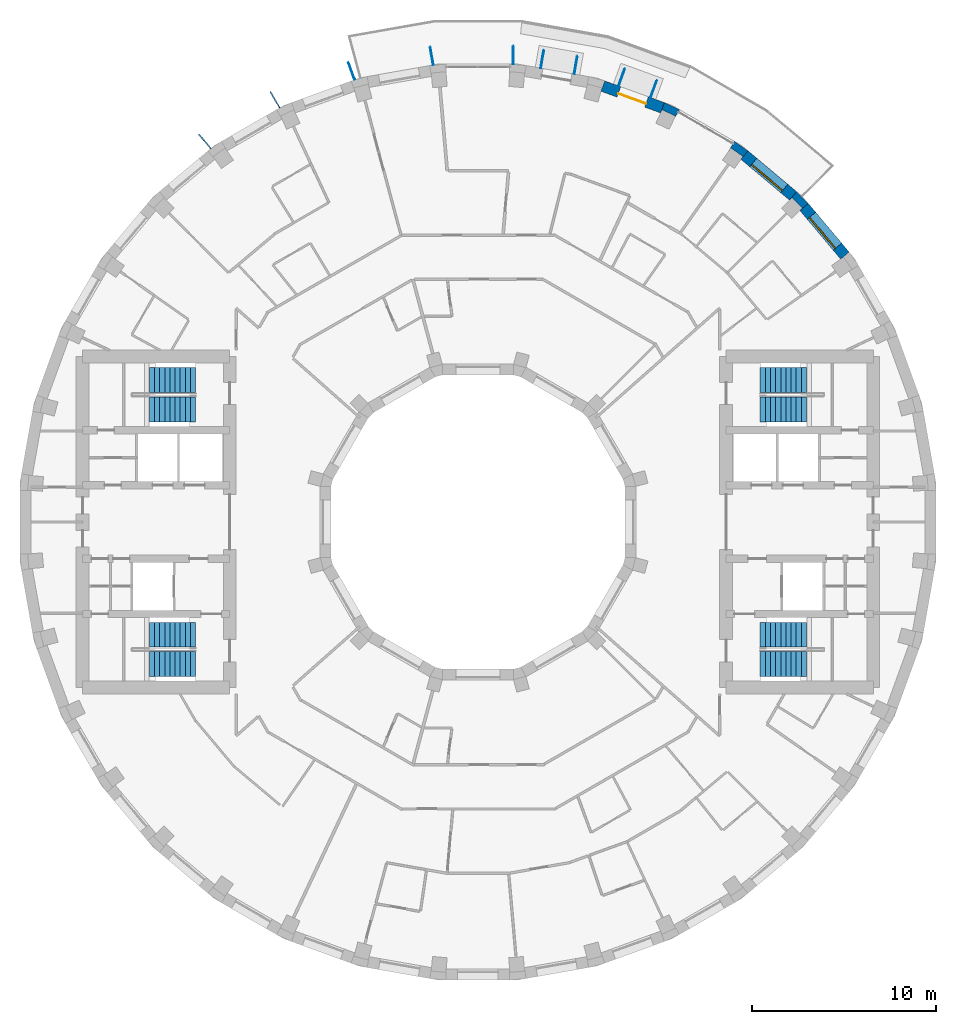
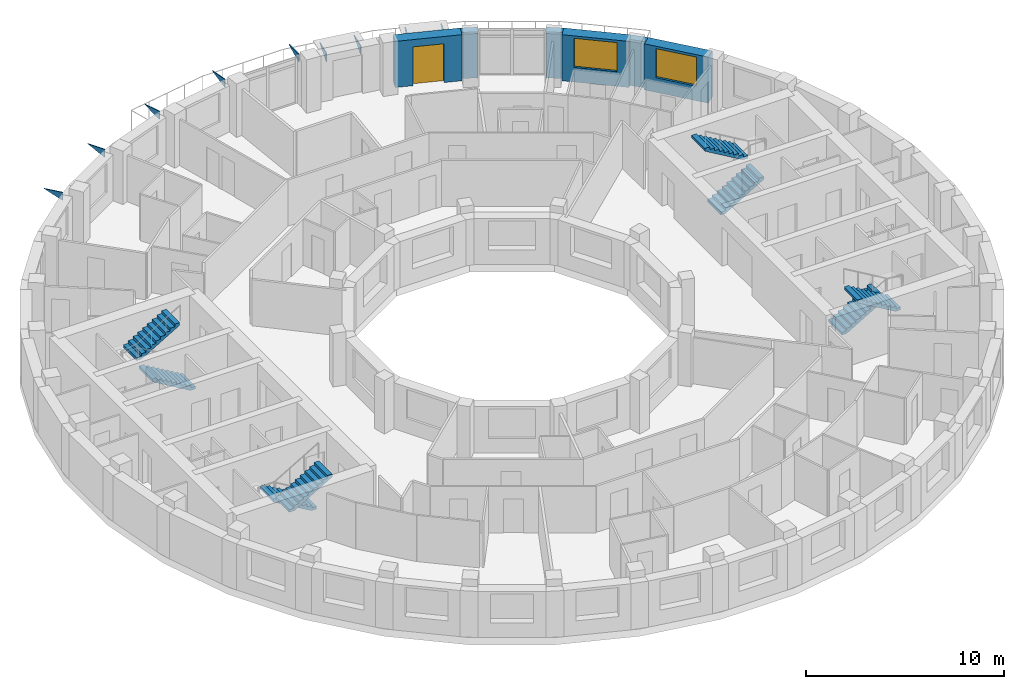
# One storey, part 12 of 13: 9 discrete accessories, 8 stair flights, 6 walls, 2 windows, 1 door, 3 openings, 4 elements without a shape of their own.
"""IFC4 building model written with IfcOpenShell, lengths in metres."""

from ifc_helpers import new_model, si_unit, direction, frame, frame_2d, origin, place, context, subcontext, project, spatial, polyline, rectangle, outline, extrude, material, layer, layer_set, type_object, element, fill, aggregate, save


model = new_model("IFC4")

# Units and contexts
model_context = context("Model", 3, precision=1e-05, world=origin(), true_north=direction((0.0, 1.0)))
body_context = subcontext(model_context, "Body", "Model", "MODEL_VIEW")
ifc_project = project(units=[si_unit("LENGTHUNIT", "METRE"), si_unit("AREAUNIT", "SQUARE_METRE"), si_unit("VOLUMEUNIT", "CUBIC_METRE"), si_unit("PLANEANGLEUNIT", "RADIAN"), si_unit("MASSUNIT", "GRAM", prefix="KILO")], contexts=[model_context])

# Site, building, storey
site_placement = place(None, origin())
site = spatial("IfcSite", under=ifc_project, at=site_placement, CompositionType="ELEMENT")
building_placement = place(site_placement, origin())
building = spatial("IfcBuilding", under=site, at=building_placement, Name="Saqina Gate Tower", CompositionType="ELEMENT")
storey_placement = place(building_placement, frame((0.0, 0.0, 207.0)))
storey = spatial("IfcBuildingStorey", under=building, at=storey_placement, Name="L59", CompositionType="ELEMENT", Elevation=207.0)

# Walls
ifc_material_1 = material(Name="Brick masonry (buff)", Category="masonry")
wall_type_1 = type_object("IfcWallType", Name="BRICK PIER COPING BUFF", PredefinedType="SOLIDWALL", material=ifc_material_1)
wall_1_placement = place(storey_placement, origin())
element("IfcWall", 1, at=wall_1_placement, inside=storey, type_object=wall_type_1, Name="Pier cap L59 column 5", PredefinedType="SOLIDWALL", context=body_context, shape_type="SweptSolid", body=[
    extrude(outline(polyline([(17.329833984375, 17.969482421875), (16.944091796875, 17.510009765625), (17.07666015625, 17.642333984375), (17.642333984375, 17.07666015625), (17.510009765625, 16.944091796875), (17.969482421875, 17.329833984375), (17.329833984375, 17.969482421875)])), origin(), (0.0, 0.0, 1.0), 2.85009765625),
])
wall_2_placement = place(storey_placement, origin())
element("IfcWall", 2, at=wall_2_placement, inside=storey, type_object=wall_type_1, Name="Pier cap L59 column 6", PredefinedType="SOLIDWALL", context=body_context, shape_type="SweptSolid", body=[
    extrude(outline(polyline([(14.687255859375, 20.18701171875), (13.9462890625, 20.705810546875), (13.646240234375, 20.186279296875), (13.753662109375, 20.339599609375), (14.408935546875, 19.880859375), (14.301513671875, 19.727294921875), (14.687255859375, 20.18701171875)])), origin(), (0.0, 0.0, 1.0), 2.85009765625),
])
wall_3_placement = place(storey_placement, origin())
element("IfcWall", 3, at=wall_3_placement, inside=storey, type_object=wall_type_1, Name="Pier cap L59 column 7", PredefinedType="SOLIDWALL", context=body_context, shape_type="SweptSolid", body=[
    extrude(outline(polyline([(10.138916015625, 22.81298828125), (9.93359375, 22.249267578125), (10.0126953125, 22.4189453125), (10.73779296875, 22.080810546875), (10.65869140625, 21.9111328125), (10.958740234375, 22.4306640625), (10.138916015625, 22.81298828125)])), origin(), (0.0, 0.0, 1.0), 2.85009765625),
])

# Wall, opening, window
ifc_material_2 = material(Name="Brick masonry (buff)", Category="masonry")
ifc_layer_1 = layer(ifc_material_2, 0.60009765625)
ifc_layer_set_1 = layer_set([ifc_layer_1], Name="FW-BRICK-BUFF")
wall_type_2 = type_object("IfcWallType", Name="FW-BRICK-BUFF", PredefinedType="SOLIDWALL", material=ifc_layer_set_1)
wall_4_placement = place(storey_placement, frame((19.95703125, 14.494384765625, 0.0), z_axis=(0.0, 0.0, 1.0), x_axis=(-0.642770398358, 0.766058884809, 0.0)))
wall_4 = element("IfcWall", 4, at=wall_4_placement, inside=storey, type_object=wall_type_2, Name="Facade wall L59 facet 4", PredefinedType="SOLIDWALL", context=body_context, shape_type="SweptSolid", body=[
    extrude(rectangle(XDim=3.449462890625, YDim=0.60009765625, at=frame_2d((1.724609375, 0.0))), origin(), (0.0, 0.0, 1.0), 2.85009765625),
])
opening_1_placement = place(wall_4_placement, frame((0.625, 0.0, 0.89990234375)))
opening_1 = element("IfcOpeningElement", 5, at=opening_1_placement, cuts=wall_4, Name="Opening G17-W02", PredefinedType="OPENING", context=body_context, shape_type="SweptSolid", body=[
    extrude(rectangle(XDim=2.199951171875, YDim=1.800048828125, at=frame_2d((1.10009765625, 0.89990234375))), frame((0.0, 0.31201171875, 0.0), z_axis=(0.0, -1.0, 0.0), x_axis=(1.0, 0.0, 0.0)), (0.0, 0.0, 1.0), 0.6240234375),
])
ifc_material_3 = material(Name="Aluminium glazing", Category="aluminium")
window_type = type_object("IfcWindowType", Name="WN-C", PartitioningType="SINGLE_PANEL", PredefinedType="WINDOW", material=ifc_material_3)
window_1_placement = place(opening_1_placement, origin())
window_1 = element("IfcWindow", 6, at=window_1_placement, inside=storey, type_object=window_type, Name="Window L59 facet 4", OverallHeight=1.800048828125, OverallWidth=2.199951171875, PartitioningType="SINGLE_PANEL", PredefinedType="WINDOW", context=body_context, shape_type="SweptSolid", body=[
    extrude(rectangle(XDim=2.199951171875, YDim=1.800048828125, at=frame_2d((1.10009765625, 0.89990234375))), frame((0.0, 0.179931640625, 0.0), z_axis=(0.0, -1.0, 0.0), x_axis=(1.0, 0.0, 0.0)), (0.0, 0.0, 1.0), 0.06005859375),
])
fill(opening_1, window_1)

wall_5_placement = place(storey_placement, frame((17.136962890625, 17.73974609375, 0.0), z_axis=(0.0, 0.0, 1.0), x_axis=(-0.766058884809, 0.642770398358, 0.0)))
wall_5 = element("IfcWall", 7, at=wall_5_placement, inside=storey, type_object=wall_type_2, Name="Facade wall L59 facet 5", PredefinedType="SOLIDWALL", context=body_context, shape_type="SweptSolid", body=[
    extrude(rectangle(XDim=3.449462890625, YDim=0.60009765625, at=frame_2d((1.724609375, 0.0))), origin(), (0.0, 0.0, 1.0), 2.85009765625),
])
opening_2_placement = place(wall_5_placement, frame((0.625, 0.0, 0.89990234375)))
opening_2 = element("IfcOpeningElement", 8, at=opening_2_placement, cuts=wall_5, Name="Opening G17-W03", PredefinedType="OPENING", context=body_context, shape_type="SweptSolid", body=[
    extrude(rectangle(XDim=2.199951171875, YDim=1.800048828125, at=frame_2d((1.10009765625, 0.89990234375))), frame((0.0, 0.31201171875, 0.0), z_axis=(0.0, -1.0, 0.0), x_axis=(1.0, 0.0, 0.0)), (0.0, 0.0, 1.0), 0.6240234375),
])
window_2_placement = place(opening_2_placement, origin())
window_2 = element("IfcWindow", 9, at=window_2_placement, inside=storey, type_object=window_type, Name="Window L59 facet 5", OverallHeight=1.800048828125, OverallWidth=2.199951171875, PartitioningType="SINGLE_PANEL", PredefinedType="WINDOW", context=body_context, shape_type="SweptSolid", body=[
    extrude(rectangle(XDim=2.199951171875, YDim=1.800048828125, at=frame_2d((1.10009765625, 0.89990234375))), frame((0.0, 0.179931640625, 0.0), z_axis=(0.0, -1.0, 0.0), x_axis=(1.0, 0.0, 0.0)), (0.0, 0.0, 1.0), 0.06005859375),
])
fill(opening_2, window_2)

# Wall, opening, door
wall_6_placement = place(storey_placement, frame((10.0361328125, 22.531005859375, 0.0), z_axis=(0.0, 0.0, 1.0), x_axis=(-0.93968799822, 0.342032843455, 0.0)))
wall_6 = element("IfcWall", 10, at=wall_6_placement, inside=storey, type_object=wall_type_2, Name="Facade wall L59 facet 7", PredefinedType="SOLIDWALL", context=body_context, shape_type="SweptSolid", body=[
    extrude(rectangle(XDim=3.44970703125, YDim=0.60009765625, at=frame_2d((1.724853515625, 0.0))), origin(), (0.0, 0.0, 1.0), 2.85009765625),
])
opening_3_placement = place(wall_6_placement, frame((0.9248046875, 0.0, 0.0)))
opening_3 = element("IfcOpeningElement", 11, at=opening_3_placement, cuts=wall_6, Name="Opening G17-D80", PredefinedType="OPENING", context=body_context, shape_type="SweptSolid", body=[
    extrude(rectangle(XDim=1.60009765625, YDim=2.39990234375, at=frame_2d((0.800048828125, 1.199951171875))), frame((0.0, 0.31201171875, 0.0), z_axis=(0.0, -1.0, 0.0), x_axis=(1.0, 0.0, 0.0)), (0.0, 0.0, 1.0), 0.6240234375),
])
ifc_material_4 = material(Name="Aluminium glazing", Category="aluminium")
door_type = type_object("IfcDoorType", Name="GD-C", OperationType="DOUBLE_DOOR_SINGLE_SWING", PredefinedType="DOOR", material=ifc_material_4)
door_placement = place(opening_3_placement, origin())
door = element("IfcDoor", 12, at=door_placement, inside=storey, type_object=door_type, Name="Terrace door L59 facet 7", OperationType="DOUBLE_DOOR_SINGLE_SWING", OverallHeight=2.39990234375, OverallWidth=1.60009765625, PredefinedType="DOOR", context=body_context, shape_type="SweptSolid", body=[
    extrude(rectangle(XDim=1.60009765625, YDim=2.39990234375, at=frame_2d((0.800048828125, 1.199951171875))), frame((0.0, 0.125, 0.0), z_axis=(0.0, -1.0, 0.0), x_axis=(1.0, 0.0, 0.0)), (0.0, 0.0, 1.0), 0.050048828125),
])
fill(opening_3, door)

# Stair, stair flights
ifc_material_5 = material(Name="Concrete C40/50", Category="concrete")
stair_type = type_object("IfcStairType", Name="EXIT STAIR", PredefinedType="HALF_TURN_STAIR", material=ifc_material_5)
stair_1_placement = place(storey_placement, origin())
stair_1 = element("IfcStair", 13, at=stair_1_placement, inside=storey, type_object=stair_type, Name="EXIT STAIR 1", PredefinedType="HALF_TURN_STAIR")
ifc_material_6 = material(Name="Concrete C40/50", Category="concrete")
stair_flight_type = type_object("IfcStairFlightType", Name="EXIT STAIR FLIGHT", PredefinedType="STRAIGHT", material=ifc_material_6)
stair_flight_1_placement = place(storey_placement, frame((15.35009765625, 6.125, 0.0), z_axis=(0.0, 0.0, 1.0), x_axis=(1.0, 0.0, 0.0)))
stair_flight_1 = element("IfcStairFlight", 14, at=stair_flight_1_placement, type_object=stair_flight_type, Name="EXIT STAIR 1 FLIGHT 1", NumberOfRisers=10, NumberOfTreads=9, PredefinedType="STRAIGHT", RiserHeight=0.165, TreadLength=0.28, context=body_context, shape_type="SweptSolid", body=[
    extrude(outline(polyline([(0.0, 0.0), (0.0, 0.1650390625), (0.280029296875, 0.1650390625), (0.280029296875, 0.330078125), (0.56005859375, 0.330078125), (0.56005859375, 0.4951171875), (0.840087890625, 0.4951171875), (0.840087890625, 0.659912109375), (1.1201171875, 0.659912109375), (1.1201171875, 0.824951171875), (1.39990234375, 0.824951171875), (1.39990234375, 0.989990234375), (1.679931640625, 0.989990234375), (1.679931640625, 1.155029296875), (1.9599609375, 1.155029296875), (1.9599609375, 1.320068359375), (2.239990234375, 1.320068359375), (2.239990234375, 1.485107421875), (2.52001953125, 1.485107421875), (2.52001953125, 1.64990234375), (2.52001953125, 1.31103515625), (0.295166015625, 0.0), (0.0, 0.0)])), frame((0.0, 0.675048828125, 0.0), z_axis=(0.0, -1.0, 0.0), x_axis=(1.0, 0.0, 0.0)), (0.0, 0.0, 1.0), 1.35009765625),
])
stair_flight_2_placement = place(storey_placement, frame((17.8701171875, 7.72509765625, 1.64990234375), z_axis=(0.0, 0.0, 1.0), x_axis=(-1.0, 0.0, 0.0)))
stair_flight_2 = element("IfcStairFlight", 15, at=stair_flight_2_placement, type_object=stair_flight_type, Name="EXIT STAIR 1 FLIGHT 2", NumberOfRisers=10, NumberOfTreads=9, PredefinedType="STRAIGHT", RiserHeight=0.165, TreadLength=0.28, context=body_context, shape_type="SweptSolid", body=[
    extrude(outline(polyline([(0.0, 0.0), (0.0, 0.1650390625), (0.280029296875, 0.1650390625), (0.280029296875, 0.330078125), (0.56005859375, 0.330078125), (0.56005859375, 0.4951171875), (0.840087890625, 0.4951171875), (0.840087890625, 0.659912109375), (1.1201171875, 0.659912109375), (1.1201171875, 0.824951171875), (1.39990234375, 0.824951171875), (1.39990234375, 0.989990234375), (1.679931640625, 0.989990234375), (1.679931640625, 1.155029296875), (1.9599609375, 1.155029296875), (1.9599609375, 1.320068359375), (2.239990234375, 1.320068359375), (2.239990234375, 1.485107421875), (2.52001953125, 1.485107421875), (2.52001953125, 1.64990234375), (2.52001953125, 1.31103515625), (0.295166015625, 0.0), (0.0, 0.0)])), frame((0.0, 0.675048828125, 0.0), z_axis=(0.0, -1.0, 0.0), x_axis=(1.0, 0.0, 0.0)), (0.0, 0.0, 1.0), 1.35009765625),
])
aggregate(stair_1, [stair_flight_1, stair_flight_2])

stair_2_placement = place(storey_placement, origin())
stair_2 = element("IfcStair", 16, at=stair_2_placement, inside=storey, type_object=stair_type, Name="EXIT STAIR 2", PredefinedType="HALF_TURN_STAIR")
stair_flight_3_placement = place(storey_placement, frame((15.35009765625, -6.125, 0.0), z_axis=(0.0, 0.0, 1.0), x_axis=(1.0, 0.0, 0.0)))
stair_flight_3 = element("IfcStairFlight", 17, at=stair_flight_3_placement, type_object=stair_flight_type, Name="EXIT STAIR 2 FLIGHT 1", NumberOfRisers=10, NumberOfTreads=9, PredefinedType="STRAIGHT", RiserHeight=0.165, TreadLength=0.28, context=body_context, shape_type="SweptSolid", body=[
    extrude(outline(polyline([(0.0, 0.0), (0.0, 0.1650390625), (0.280029296875, 0.1650390625), (0.280029296875, 0.330078125), (0.56005859375, 0.330078125), (0.56005859375, 0.4951171875), (0.840087890625, 0.4951171875), (0.840087890625, 0.659912109375), (1.1201171875, 0.659912109375), (1.1201171875, 0.824951171875), (1.39990234375, 0.824951171875), (1.39990234375, 0.989990234375), (1.679931640625, 0.989990234375), (1.679931640625, 1.155029296875), (1.9599609375, 1.155029296875), (1.9599609375, 1.320068359375), (2.239990234375, 1.320068359375), (2.239990234375, 1.485107421875), (2.52001953125, 1.485107421875), (2.52001953125, 1.64990234375), (2.52001953125, 1.31103515625), (0.295166015625, 0.0), (0.0, 0.0)])), frame((0.0, 0.675048828125, 0.0), z_axis=(0.0, -1.0, 0.0), x_axis=(1.0, 0.0, 0.0)), (0.0, 0.0, 1.0), 1.35009765625),
])
stair_flight_4_placement = place(storey_placement, frame((17.8701171875, -7.72509765625, 1.64990234375), z_axis=(0.0, 0.0, 1.0), x_axis=(-1.0, 0.0, 0.0)))
stair_flight_4 = element("IfcStairFlight", 18, at=stair_flight_4_placement, type_object=stair_flight_type, Name="EXIT STAIR 2 FLIGHT 2", NumberOfRisers=10, NumberOfTreads=9, PredefinedType="STRAIGHT", RiserHeight=0.165, TreadLength=0.28, context=body_context, shape_type="SweptSolid", body=[
    extrude(outline(polyline([(0.0, 0.0), (0.0, 0.1650390625), (0.280029296875, 0.1650390625), (0.280029296875, 0.330078125), (0.56005859375, 0.330078125), (0.56005859375, 0.4951171875), (0.840087890625, 0.4951171875), (0.840087890625, 0.659912109375), (1.1201171875, 0.659912109375), (1.1201171875, 0.824951171875), (1.39990234375, 0.824951171875), (1.39990234375, 0.989990234375), (1.679931640625, 0.989990234375), (1.679931640625, 1.155029296875), (1.9599609375, 1.155029296875), (1.9599609375, 1.320068359375), (2.239990234375, 1.320068359375), (2.239990234375, 1.485107421875), (2.52001953125, 1.485107421875), (2.52001953125, 1.64990234375), (2.52001953125, 1.31103515625), (0.295166015625, 0.0), (0.0, 0.0)])), frame((0.0, 0.675048828125, 0.0), z_axis=(0.0, -1.0, 0.0), x_axis=(1.0, 0.0, 0.0)), (0.0, 0.0, 1.0), 1.35009765625),
])
aggregate(stair_2, [stair_flight_3, stair_flight_4])

stair_3_placement = place(storey_placement, origin())
stair_3 = element("IfcStair", 19, at=stair_3_placement, inside=storey, type_object=stair_type, Name="EXIT STAIR 3", PredefinedType="HALF_TURN_STAIR")
stair_flight_5_placement = place(storey_placement, frame((-15.35009765625, 6.125, 0.0), z_axis=(0.0, 0.0, 1.0), x_axis=(-1.0, 0.0, 0.0)))
stair_flight_5 = element("IfcStairFlight", 20, at=stair_flight_5_placement, type_object=stair_flight_type, Name="EXIT STAIR 3 FLIGHT 1", NumberOfRisers=10, NumberOfTreads=9, PredefinedType="STRAIGHT", RiserHeight=0.165, TreadLength=0.28, context=body_context, shape_type="SweptSolid", body=[
    extrude(outline(polyline([(0.0, 0.0), (0.0, 0.1650390625), (0.280029296875, 0.1650390625), (0.280029296875, 0.330078125), (0.56005859375, 0.330078125), (0.56005859375, 0.4951171875), (0.840087890625, 0.4951171875), (0.840087890625, 0.659912109375), (1.1201171875, 0.659912109375), (1.1201171875, 0.824951171875), (1.39990234375, 0.824951171875), (1.39990234375, 0.989990234375), (1.679931640625, 0.989990234375), (1.679931640625, 1.155029296875), (1.9599609375, 1.155029296875), (1.9599609375, 1.320068359375), (2.239990234375, 1.320068359375), (2.239990234375, 1.485107421875), (2.52001953125, 1.485107421875), (2.52001953125, 1.64990234375), (2.52001953125, 1.31103515625), (0.295166015625, 0.0), (0.0, 0.0)])), frame((0.0, 0.675048828125, 0.0), z_axis=(0.0, -1.0, 0.0), x_axis=(1.0, 0.0, 0.0)), (0.0, 0.0, 1.0), 1.35009765625),
])
stair_flight_6_placement = place(storey_placement, frame((-17.8701171875, 7.72509765625, 1.64990234375), z_axis=(0.0, 0.0, 1.0), x_axis=(1.0, 0.0, 0.0)))
stair_flight_6 = element("IfcStairFlight", 21, at=stair_flight_6_placement, type_object=stair_flight_type, Name="EXIT STAIR 3 FLIGHT 2", NumberOfRisers=10, NumberOfTreads=9, PredefinedType="STRAIGHT", RiserHeight=0.165, TreadLength=0.28, context=body_context, shape_type="SweptSolid", body=[
    extrude(outline(polyline([(0.0, 0.0), (0.0, 0.1650390625), (0.280029296875, 0.1650390625), (0.280029296875, 0.330078125), (0.56005859375, 0.330078125), (0.56005859375, 0.4951171875), (0.840087890625, 0.4951171875), (0.840087890625, 0.659912109375), (1.1201171875, 0.659912109375), (1.1201171875, 0.824951171875), (1.39990234375, 0.824951171875), (1.39990234375, 0.989990234375), (1.679931640625, 0.989990234375), (1.679931640625, 1.155029296875), (1.9599609375, 1.155029296875), (1.9599609375, 1.320068359375), (2.239990234375, 1.320068359375), (2.239990234375, 1.485107421875), (2.52001953125, 1.485107421875), (2.52001953125, 1.64990234375), (2.52001953125, 1.31103515625), (0.295166015625, 0.0), (0.0, 0.0)])), frame((0.0, 0.675048828125, 0.0), z_axis=(0.0, -1.0, 0.0), x_axis=(1.0, 0.0, 0.0)), (0.0, 0.0, 1.0), 1.35009765625),
])
aggregate(stair_3, [stair_flight_5, stair_flight_6])

stair_4_placement = place(storey_placement, origin())
stair_4 = element("IfcStair", 22, at=stair_4_placement, inside=storey, type_object=stair_type, Name="EXIT STAIR 4", PredefinedType="HALF_TURN_STAIR")
stair_flight_7_placement = place(storey_placement, frame((-15.35009765625, -6.125, 0.0), z_axis=(0.0, 0.0, 1.0), x_axis=(-1.0, 0.0, 0.0)))
stair_flight_7 = element("IfcStairFlight", 23, at=stair_flight_7_placement, type_object=stair_flight_type, Name="EXIT STAIR 4 FLIGHT 1", NumberOfRisers=10, NumberOfTreads=9, PredefinedType="STRAIGHT", RiserHeight=0.165, TreadLength=0.28, context=body_context, shape_type="SweptSolid", body=[
    extrude(outline(polyline([(0.0, 0.0), (0.0, 0.1650390625), (0.280029296875, 0.1650390625), (0.280029296875, 0.330078125), (0.56005859375, 0.330078125), (0.56005859375, 0.4951171875), (0.840087890625, 0.4951171875), (0.840087890625, 0.659912109375), (1.1201171875, 0.659912109375), (1.1201171875, 0.824951171875), (1.39990234375, 0.824951171875), (1.39990234375, 0.989990234375), (1.679931640625, 0.989990234375), (1.679931640625, 1.155029296875), (1.9599609375, 1.155029296875), (1.9599609375, 1.320068359375), (2.239990234375, 1.320068359375), (2.239990234375, 1.485107421875), (2.52001953125, 1.485107421875), (2.52001953125, 1.64990234375), (2.52001953125, 1.31103515625), (0.295166015625, 0.0), (0.0, 0.0)])), frame((0.0, 0.675048828125, 0.0), z_axis=(0.0, -1.0, 0.0), x_axis=(1.0, 0.0, 0.0)), (0.0, 0.0, 1.0), 1.35009765625),
])
stair_flight_8_placement = place(storey_placement, frame((-17.8701171875, -7.72509765625, 1.64990234375), z_axis=(0.0, 0.0, 1.0), x_axis=(1.0, 0.0, 0.0)))
stair_flight_8 = element("IfcStairFlight", 24, at=stair_flight_8_placement, type_object=stair_flight_type, Name="EXIT STAIR 4 FLIGHT 2", NumberOfRisers=10, NumberOfTreads=9, PredefinedType="STRAIGHT", RiserHeight=0.165, TreadLength=0.28, context=body_context, shape_type="SweptSolid", body=[
    extrude(outline(polyline([(0.0, 0.0), (0.0, 0.1650390625), (0.280029296875, 0.1650390625), (0.280029296875, 0.330078125), (0.56005859375, 0.330078125), (0.56005859375, 0.4951171875), (0.840087890625, 0.4951171875), (0.840087890625, 0.659912109375), (1.1201171875, 0.659912109375), (1.1201171875, 0.824951171875), (1.39990234375, 0.824951171875), (1.39990234375, 0.989990234375), (1.679931640625, 0.989990234375), (1.679931640625, 1.155029296875), (1.9599609375, 1.155029296875), (1.9599609375, 1.320068359375), (2.239990234375, 1.320068359375), (2.239990234375, 1.485107421875), (2.52001953125, 1.485107421875), (2.52001953125, 1.64990234375), (2.52001953125, 1.31103515625), (0.295166015625, 0.0), (0.0, 0.0)])), frame((0.0, 0.675048828125, 0.0), z_axis=(0.0, -1.0, 0.0), x_axis=(1.0, 0.0, 0.0)), (0.0, 0.0, 1.0), 1.35009765625),
])
aggregate(stair_4, [stair_flight_7, stair_flight_8])

# Discrete accessories
ifc_material_7 = material(Name="Galvanised steel", Category="steel")
ifc_layer_2 = layer(ifc_material_7, 0.050048828125)
ifc_layer_set_2 = layer_set([ifc_layer_2], Name="BR-AWNING")
discrete_accessory_type_1 = type_object("IfcDiscreteAccessoryType", Name="BR-AWNING", PredefinedType="BRACKET", material=ifc_layer_set_2)
discrete_accessory_1_placement = place(storey_placement, frame((9.363525390625, 23.09521484375, 1.97509765625), z_axis=(-0.939686455819, 0.342037080957, 0.0), x_axis=(0.0, 0.0, 1.0)))
element("IfcDiscreteAccessory", 25, at=discrete_accessory_1_placement, inside=storey, type_object=discrete_accessory_type_1, Name="Awning bracket L59 facet 7", PredefinedType="BRACKET", context=body_context, shape_type="SweptSolid", body=[
    extrude(outline(polyline([(0.0, 0.0), (0.5498046875, 0.0), (0.5498046875, 1.0000115036302748), (0.0, 0.0)])), origin(), (0.0, 0.0, -1.0), 0.050048828125),
])
discrete_accessory_2_placement = place(storey_placement, frame((7.62548828125, 23.727783203125, 1.97509765625), z_axis=(-0.939764905391, 0.341821477669, 0.0), x_axis=(0.0, 0.0, 1.0)))
element("IfcDiscreteAccessory", 26, at=discrete_accessory_2_placement, inside=storey, type_object=discrete_accessory_type_1, Name="Awning bracket L59 facet 7", PredefinedType="BRACKET", context=body_context, shape_type="SweptSolid", body=[
    extrude(outline(polyline([(0.0, 0.0), (0.5498046875, 0.0), (0.5498046875, 0.9999280248012192), (0.0, 0.0)])), origin(), (0.0, 0.0, -1.0), 0.050048828125),
])
discrete_accessory_3_placement = place(storey_placement, frame((5.2109375, 24.3701171875, 1.97509765625), z_axis=(-0.984820401928, 0.173576426815, 0.0), x_axis=(0.0, 0.0, 1.0)))
element("IfcDiscreteAccessory", 27, at=discrete_accessory_3_placement, inside=storey, type_object=discrete_accessory_type_1, Name="Awning bracket L59 facet 8", PredefinedType="BRACKET", context=body_context, shape_type="SweptSolid", body=[
    extrude(outline(polyline([(0.0, 0.0), (0.5498046875, 0.0), (0.5498046875, 1.000043540245132), (0.0, 0.0)])), origin(), (0.0, 0.0, -1.0), 0.050048828125),
])
discrete_accessory_4_placement = place(storey_placement, frame((3.38916015625, 24.69140625, 1.97509765625), z_axis=(-0.984778643263, 0.173813186416, 0.0), x_axis=(0.0, 0.0, 1.0)))
element("IfcDiscreteAccessory", 28, at=discrete_accessory_4_placement, inside=storey, type_object=discrete_accessory_type_1, Name="Awning bracket L59 facet 8", PredefinedType="BRACKET", context=body_context, shape_type="SweptSolid", body=[
    extrude(outline(polyline([(0.0, 0.0), (0.5498046875, 0.0), (0.5498046875, 1.0000859462043912), (0.0, 0.0)])), origin(), (0.0, 0.0, -1.0), 0.050048828125),
])
ifc_material_8 = material(Name="Galvanised steel", Category="steel")
ifc_layer_3 = layer(ifc_material_8, 0.050048828125)
ifc_layer_set_3 = layer_set([ifc_layer_3], Name="BR-GUSSET")
discrete_accessory_type_2 = type_object("IfcDiscreteAccessoryType", Name="BR-GUSSET", PredefinedType="BRACKET", material=ifc_layer_set_3)
discrete_accessory_5_placement = place(storey_placement, frame((1.90380859375, 24.90478515625, 2.35009765625), z_axis=(-1.0, 0.0, 0.0), x_axis=(0.0, 0.0, 1.0)))
element("IfcDiscreteAccessory", 29, at=discrete_accessory_5_placement, inside=storey, type_object=discrete_accessory_type_2, Name="Terrace slab bracket L60 1", PredefinedType="BRACKET", context=body_context, shape_type="SweptSolid", body=[
    extrude(outline(polyline([(0.0, 0.0), (0.5, 0.0), (0.5, 1.0), (0.0, 0.0)])), origin(), (0.0, 0.0, -1.0), 0.050048828125),
])
discrete_accessory_6_placement = place(storey_placement, frame((-2.44970703125, 24.857177734375, 2.35009765625), z_axis=(-0.984813043937, -0.173618168668, 0.0), x_axis=(0.0, 0.0, 1.0)))
element("IfcDiscreteAccessory", 30, at=discrete_accessory_6_placement, inside=storey, type_object=discrete_accessory_type_2, Name="Terrace slab bracket L60 2", PredefinedType="BRACKET", context=body_context, shape_type="SweptSolid", body=[
    extrude(outline(polyline([(0.0, 0.0), (0.5, 0.0), (0.5, 0.9998031064747768), (0.0, 0.0)])), origin(), (0.0, 0.0, -1.0), 0.050048828125),
])
discrete_accessory_7_placement = place(storey_placement, frame((-6.72900390625, 24.05419921875, 2.35009765625), z_axis=(-0.939764905391, -0.341821477669, 0.0), x_axis=(0.0, 0.0, 1.0)))
element("IfcDiscreteAccessory", 31, at=discrete_accessory_7_placement, inside=storey, type_object=discrete_accessory_type_2, Name="Terrace slab bracket L60 3", PredefinedType="BRACKET", context=body_context, shape_type="SweptSolid", body=[
    extrude(outline(polyline([(0.0, 0.0), (0.5, 0.0), (0.5, 0.999928024801219), (0.0, 0.0)])), origin(), (0.0, 0.0, -1.0), 0.050048828125),
])
discrete_accessory_8_placement = place(storey_placement, frame((-10.8037109375, 22.520263671875, 2.35009765625), z_axis=(-0.866010750942, -0.50002537861, 0.0), x_axis=(0.0, 0.0, 1.0)))
element("IfcDiscreteAccessory", 32, at=discrete_accessory_8_placement, inside=storey, type_object=discrete_accessory_type_2, Name="Terrace slab bracket L60 4", PredefinedType="BRACKET", context=body_context, shape_type="SweptSolid", body=[
    extrude(outline(polyline([(0.0, 0.0), (0.5, 0.0), (0.5, 0.9999492453569568), (0.0, 0.0)])), origin(), (0.0, 0.0, -1.0), 0.050048828125),
])
discrete_accessory_9_placement = place(storey_placement, frame((-14.550048828125, 20.302001953125, 2.35009765625), z_axis=(-0.766055819685, -0.64277405138, 0.0), x_axis=(0.0, 0.0, 1.0)))
element("IfcDiscreteAccessory", 33, at=discrete_accessory_9_placement, inside=storey, type_object=discrete_accessory_type_2, Name="Terrace slab bracket L60 5", PredefinedType="BRACKET", context=body_context, shape_type="SweptSolid", body=[
    extrude(outline(polyline([(0.0, 0.0), (0.5, 0.0), (0.5, 1.0000750096322275), (0.0, 0.0)])), origin(), (0.0, 0.0, -1.0), 0.050048828125),
])

save(model, "model.ifc")
